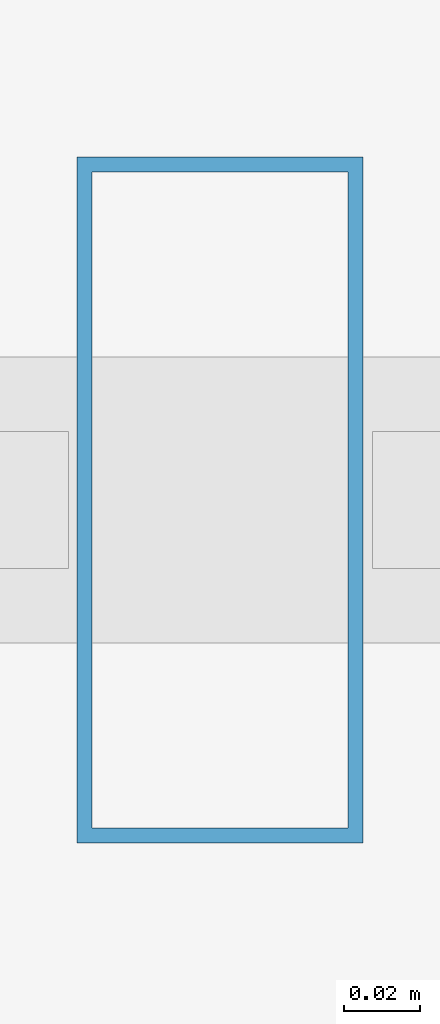
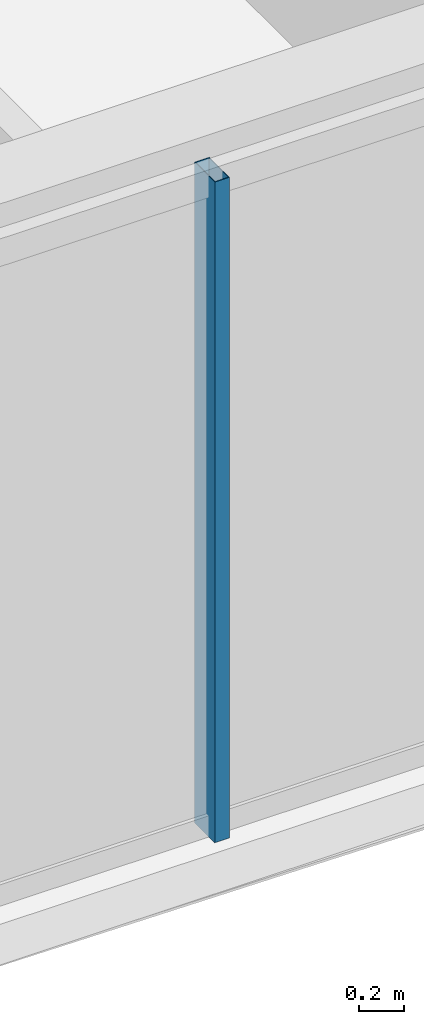
# One storey, part 5 of 35: 1 member, 1 element without a shape of its own.
"""IFC4 building model written with IfcOpenShell, lengths in metres."""

from ifc_helpers import new_model, si_unit, direction, frame, origin, origin_2d, place, context, subcontext, project, spatial, hollow_rectangle, extrude, material, layer, layer_set, material_profile, profile_set, type_object, element, aggregate, save


model = new_model("IFC4")

# Units and contexts
model_context = context("Model", 3, precision=1e-05, world=origin(), true_north=direction((0.0, 1.0)))
body_context = subcontext(model_context, "Body", "Model", "MODEL_VIEW")
ifc_project = project(units=[si_unit("LENGTHUNIT", "METRE"), si_unit("AREAUNIT", "SQUARE_METRE"), si_unit("VOLUMEUNIT", "CUBIC_METRE"), si_unit("PLANEANGLEUNIT", "RADIAN"), si_unit("MASSUNIT", "GRAM", prefix="KILO")], contexts=[model_context])

# Site, building, storey
site_placement = place(None, origin())
site = spatial("IfcSite", under=ifc_project, at=site_placement, CompositionType="ELEMENT")
building_placement = place(site_placement, origin())
building = spatial("IfcBuilding", under=site, at=building_placement, Name="Ndaravel Arena Tower", CompositionType="ELEMENT")
storey_placement = place(building_placement, frame((0.0, 0.0, 271.199951171875)))
storey = spatial("IfcBuildingStorey", under=building, at=storey_placement, Name="L66", CompositionType="ELEMENT", Elevation=271.199951171875)

# Curtain wall, member
ifc_material_1 = material(Name="Aluminium", Category="aluminium")
ifc_layer = layer(ifc_material_1, 0.179931640625)
ifc_layer_set = layer_set([ifc_layer], Name="Aluminium")
curtain_wall_type = type_object("IfcCurtainWallType", Name="CW-SYS-03", PredefinedType="NOTDEFINED", material=ifc_layer_set)
curtain_wall_placement = place(storey_placement, origin())
curtain_wall = element("IfcCurtainWall", 1, at=curtain_wall_placement, inside=storey, type_object=curtain_wall_type, Name="L66 Faceted Crystal Curtain Wall CW-L66-E01", PredefinedType="NOTDEFINED")
ifc_material_2 = material(Name="Aluminium", Category="aluminium")
ifc_material_profile = material_profile(ifc_material_2, hollow_rectangle(XDim=0.074951171875, YDim=0.179931640625, WallThickness=0.00390625, at=origin_2d()), Name="CW MULLION 75x180x4")
ifc_profile_set = profile_set([ifc_material_profile], Name="Aluminium")
member_type = type_object("IfcMemberType", Name="MEM-CW-MUL180", PredefinedType="MULLION", material=ifc_profile_set)
member_placement = place(storey_placement, frame((35.346923828125, 5.159912109375, 0.0), z_axis=(0.0, 0.0, 1.0), x_axis=(1.0, 0.0, 0.0)))
member = element("IfcMember", 2, at=member_placement, type_object=member_type, Name="CW-L66-E01 Mullion 03", PredefinedType="MULLION", context=body_context, shape_type="SweptSolid", body=[
    extrude(hollow_rectangle(XDim=0.074951171875, YDim=0.179931640625, WallThickness=0.00390625, at=origin_2d()), origin(), (0.0, 0.0, 1.0), 3.580078125),
])
aggregate(curtain_wall, [member])

save(model, "model.ifc")
